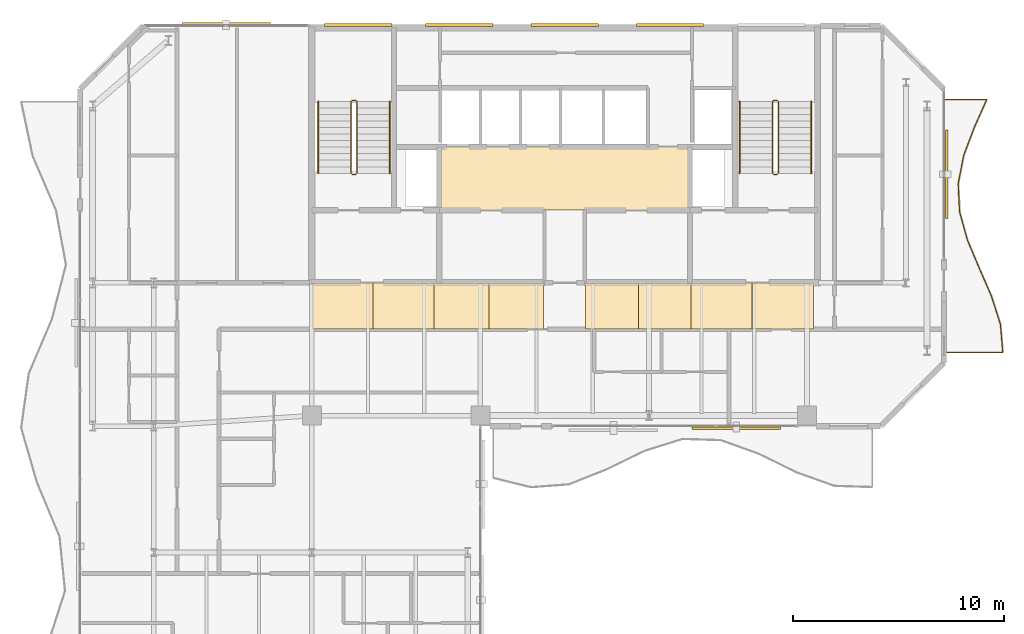
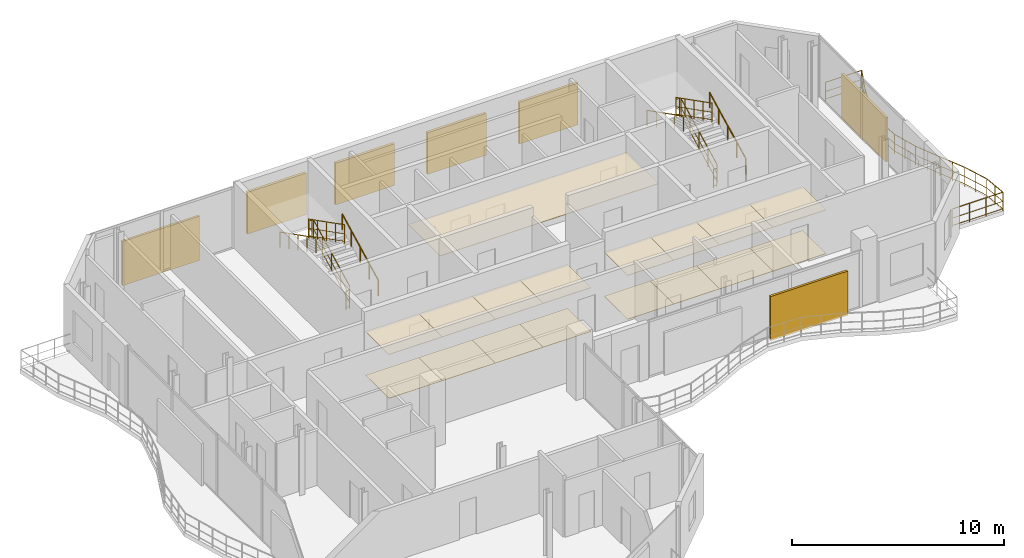
# One storey, part 22 of 23: 17 coverings, 13 railings, 7 shading devices.
"""IFC4 building model written with IfcOpenShell, lengths in metres."""

from ifc_helpers import new_model, si_unit, direction, frame, origin, origin_2d, place, context, subcontext, project, spatial, polyline, rectangle, circle, outline, extrude, material, layer, layer_set, type_object, element, save


model = new_model("IFC4")

# Units and contexts
model_context = context("Model", 3, precision=1e-05, world=origin(), true_north=direction((0.0, 1.0)))
body_context = subcontext(model_context, "Body", "Model", "MODEL_VIEW")
ifc_project = project(units=[si_unit("LENGTHUNIT", "METRE"), si_unit("AREAUNIT", "SQUARE_METRE"), si_unit("VOLUMEUNIT", "CUBIC_METRE"), si_unit("PLANEANGLEUNIT", "RADIAN"), si_unit("MASSUNIT", "GRAM", prefix="KILO")], contexts=[model_context])

# Site, building, storey
site_placement = place(None, origin())
site = spatial("IfcSite", under=ifc_project, at=site_placement, CompositionType="ELEMENT")
building_placement = place(site_placement, origin())
building = spatial("IfcBuilding", under=site, at=building_placement, Name="Catumbela Crestline Tower", CompositionType="ELEMENT")
storey_placement = place(building_placement, frame((0.0, 0.0, 241.2)))
storey = spatial("IfcBuildingStorey", under=building, at=storey_placement, Name="L62", CompositionType="ELEMENT", Elevation=241.2)

# Coverings
ifc_material_1 = material(Name="Mineral-fibre acoustic ceiling")
ifc_layer_1 = layer(ifc_material_1, 0.03, Name="Mineral-fibre acoustic ceiling")
ifc_layer_set_1 = layer_set([ifc_layer_1], Name="Mineral-fibre acoustic ceiling")
covering_type_1 = type_object("IfcCoveringType", Name="CC-AC", PredefinedType="CEILING", material=ifc_layer_set_1)
covering_1_placement = place(storey_placement, frame((0.0, 0.0, 2.65)))
element("IfcCovering", 1, at=covering_1_placement, inside=storey, type_object=covering_type_1, Name="L62 Lift Lobby Acoustic Ceiling", PredefinedType="CEILING", context=body_context, shape_type="SweptSolid", body=[
    extrude(outline(polyline([(22.05, 34.25), (33.95, 34.25), (33.95, 37.25), (22.05, 37.25), (22.05, 34.25)])), origin(), (0.0, 0.0, 1.0), 0.03),
])
covering_2_placement = place(storey_placement, frame((0.0, 0.0, 2.52)))
element("IfcCovering", 2, at=covering_2_placement, inside=storey, type_object=covering_type_1, Name="L62 Corridor Acoustic Ceiling Bay 1", PredefinedType="CEILING", context=body_context, shape_type="SweptSolid", body=[
    extrude(outline(polyline([(16.0, 28.6), (18.9, 28.6), (18.9, 30.8), (16.0, 30.8), (16.0, 28.6)])), origin(), (0.0, 0.0, 1.0), 0.03),
])
covering_3_placement = place(storey_placement, frame((0.0, 0.0, 2.52)))
element("IfcCovering", 3, at=covering_3_placement, inside=storey, type_object=covering_type_1, Name="L62 Corridor Acoustic Ceiling Bay 2", PredefinedType="CEILING", context=body_context, shape_type="SweptSolid", body=[
    extrude(outline(polyline([(18.9, 28.6), (21.8, 28.6), (21.8, 30.8), (18.9, 30.8), (18.9, 28.6)])), origin(), (0.0, 0.0, 1.0), 0.03),
])
covering_4_placement = place(storey_placement, frame((0.0, 0.0, 2.52)))
element("IfcCovering", 4, at=covering_4_placement, inside=storey, type_object=covering_type_1, Name="L62 Corridor Acoustic Ceiling Bay 3", PredefinedType="CEILING", context=body_context, shape_type="SweptSolid", body=[
    extrude(outline(polyline([(21.8, 28.6), (24.4, 28.6), (24.4, 30.8), (21.8, 30.8), (21.8, 28.6)])), origin(), (0.0, 0.0, 1.0), 0.03),
])
covering_5_placement = place(storey_placement, frame((0.0, 0.0, 2.52)))
element("IfcCovering", 5, at=covering_5_placement, inside=storey, type_object=covering_type_1, Name="L62 Corridor Acoustic Ceiling Bay 4", PredefinedType="CEILING", context=body_context, shape_type="SweptSolid", body=[
    extrude(outline(polyline([(24.4, 28.6), (27.0, 28.6), (27.0, 30.8), (24.4, 30.8), (24.4, 28.6)])), origin(), (0.0, 0.0, 1.0), 0.03),
])
covering_6_placement = place(storey_placement, frame((0.0, 0.0, 2.52)))
element("IfcCovering", 6, at=covering_6_placement, inside=storey, type_object=covering_type_1, Name="L62 Corridor Acoustic Ceiling Bay 5", PredefinedType="CEILING", context=body_context, shape_type="SweptSolid", body=[
    extrude(outline(polyline([(29.0, 28.6), (31.5, 28.6), (31.5, 30.8), (29.0, 30.8), (29.0, 28.6)])), origin(), (0.0, 0.0, 1.0), 0.03),
])
covering_7_placement = place(storey_placement, frame((0.0, 0.0, 2.52)))
element("IfcCovering", 7, at=covering_7_placement, inside=storey, type_object=covering_type_1, Name="L62 Corridor Acoustic Ceiling Bay 6", PredefinedType="CEILING", context=body_context, shape_type="SweptSolid", body=[
    extrude(outline(polyline([(31.5, 28.6), (34.0, 28.6), (34.0, 30.8), (31.5, 30.8), (31.5, 28.6)])), origin(), (0.0, 0.0, 1.0), 0.03),
])
covering_8_placement = place(storey_placement, frame((0.0, 0.0, 2.52)))
element("IfcCovering", 8, at=covering_8_placement, inside=storey, type_object=covering_type_1, Name="L62 Corridor Acoustic Ceiling Bay 7", PredefinedType="CEILING", context=body_context, shape_type="SweptSolid", body=[
    extrude(outline(polyline([(34.0, 28.6), (36.9, 28.6), (36.9, 30.8), (34.0, 30.8), (34.0, 28.6)])), origin(), (0.0, 0.0, 1.0), 0.03),
])
covering_9_placement = place(storey_placement, frame((0.0, 0.0, 2.52)))
element("IfcCovering", 9, at=covering_9_placement, inside=storey, type_object=covering_type_1, Name="L62 Corridor Acoustic Ceiling Bay 8", PredefinedType="CEILING", context=body_context, shape_type="SweptSolid", body=[
    extrude(outline(polyline([(36.9, 28.6), (39.8, 28.6), (39.8, 30.8), (36.9, 30.8), (36.9, 28.6)])), origin(), (0.0, 0.0, 1.0), 0.03),
])
ifc_material_2 = material(Name="Angolan grey-ochre granite", Category="masonry")
ifc_layer_2 = layer(ifc_material_2, 0.025, Name="Angolan grey-ochre granite")
ifc_layer_set_2 = layer_set([ifc_layer_2], Name="Angolan grey-ochre granite")
covering_type_2 = type_object("IfcCoveringType", Name="CF-GR", PredefinedType="FLOORING", material=ifc_layer_set_2)
covering_10_placement = place(storey_placement, origin())
element("IfcCovering", 10, at=covering_10_placement, inside=storey, type_object=covering_type_2, Name="L62 Corridor Granite Flooring Bay 1", PredefinedType="FLOORING", context=body_context, shape_type="SweptSolid", body=[
    extrude(outline(polyline([(16.0, 28.6), (18.9, 28.6), (18.9, 30.8), (16.0, 30.8), (16.0, 28.6)])), origin(), (0.0, 0.0, 1.0), 0.025),
])
covering_11_placement = place(storey_placement, origin())
element("IfcCovering", 11, at=covering_11_placement, inside=storey, type_object=covering_type_2, Name="L62 Corridor Granite Flooring Bay 2", PredefinedType="FLOORING", context=body_context, shape_type="SweptSolid", body=[
    extrude(outline(polyline([(18.9, 28.6), (21.8, 28.6), (21.8, 30.8), (18.9, 30.8), (18.9, 28.6)])), origin(), (0.0, 0.0, 1.0), 0.025),
])
covering_12_placement = place(storey_placement, origin())
element("IfcCovering", 12, at=covering_12_placement, inside=storey, type_object=covering_type_2, Name="L62 Corridor Granite Flooring Bay 3", PredefinedType="FLOORING", context=body_context, shape_type="SweptSolid", body=[
    extrude(outline(polyline([(21.8, 28.6), (24.4, 28.6), (24.4, 30.8), (21.8, 30.8), (21.8, 28.6)])), origin(), (0.0, 0.0, 1.0), 0.025),
])
covering_13_placement = place(storey_placement, origin())
element("IfcCovering", 13, at=covering_13_placement, inside=storey, type_object=covering_type_2, Name="L62 Corridor Granite Flooring Bay 4", PredefinedType="FLOORING", context=body_context, shape_type="SweptSolid", body=[
    extrude(outline(polyline([(24.4, 28.6), (27.0, 28.6), (27.0, 30.8), (24.4, 30.8), (24.4, 28.6)])), origin(), (0.0, 0.0, 1.0), 0.025),
])
covering_14_placement = place(storey_placement, origin())
element("IfcCovering", 14, at=covering_14_placement, inside=storey, type_object=covering_type_2, Name="L62 Corridor Granite Flooring Bay 5", PredefinedType="FLOORING", context=body_context, shape_type="SweptSolid", body=[
    extrude(outline(polyline([(29.0, 28.6), (31.5, 28.6), (31.5, 30.8), (29.0, 30.8), (29.0, 28.6)])), origin(), (0.0, 0.0, 1.0), 0.025),
])
covering_15_placement = place(storey_placement, origin())
element("IfcCovering", 15, at=covering_15_placement, inside=storey, type_object=covering_type_2, Name="L62 Corridor Granite Flooring Bay 6", PredefinedType="FLOORING", context=body_context, shape_type="SweptSolid", body=[
    extrude(outline(polyline([(31.5, 28.6), (34.0, 28.6), (34.0, 30.8), (31.5, 30.8), (31.5, 28.6)])), origin(), (0.0, 0.0, 1.0), 0.025),
])
covering_16_placement = place(storey_placement, origin())
element("IfcCovering", 16, at=covering_16_placement, inside=storey, type_object=covering_type_2, Name="L62 Corridor Granite Flooring Bay 7", PredefinedType="FLOORING", context=body_context, shape_type="SweptSolid", body=[
    extrude(outline(polyline([(34.0, 28.6), (36.9, 28.6), (36.9, 30.8), (34.0, 30.8), (34.0, 28.6)])), origin(), (0.0, 0.0, 1.0), 0.025),
])
covering_17_placement = place(storey_placement, origin())
element("IfcCovering", 17, at=covering_17_placement, inside=storey, type_object=covering_type_2, Name="L62 Corridor Granite Flooring Bay 8", PredefinedType="FLOORING", context=body_context, shape_type="SweptSolid", body=[
    extrude(outline(polyline([(36.9, 28.6), (39.8, 28.6), (39.8, 30.8), (36.9, 30.8), (36.9, 28.6)])), origin(), (0.0, 0.0, 1.0), 0.025),
])

# Railings
ifc_material_3 = material(Name="Stainless steel EN 1.4401", Category="steel")
railing_type_1 = type_object("IfcRailingType", Name="RB-1100", PredefinedType="BALUSTRADE", material=ifc_material_3)
railing_1_placement = place(storey_placement, frame((46.06, 27.5, 0.0)))
element("IfcRailing", 18, at=railing_1_placement, inside=storey, type_object=railing_type_1, Name="L62 Private Wave Balcony Balustrade 2", PredefinedType="BALUSTRADE", context=body_context, shape_type="SweptSolid", body=[
    extrude(circle(Radius=0.024, at=origin_2d()), frame((0.0, 0.0, 1.076), z_axis=(1.0, 0.0, 0.0), x_axis=(0.0, 1.0, 0.0)), (0.0, 0.0, 1.0), 2.73),
    extrude(circle(Radius=0.0156, at=origin_2d()), frame((0.0, 0.0, 0.55), z_axis=(1.0, 0.0, 0.0), x_axis=(0.0, 1.0, 0.0)), (0.0, 0.0, 1.0), 2.73),
    extrude(circle(Radius=0.0156, at=origin_2d()), frame((0.0, 0.0, 0.12), z_axis=(1.0, 0.0, 0.0), x_axis=(0.0, 1.0, 0.0)), (0.0, 0.0, 1.0), 2.73),
    extrude(circle(Radius=0.024, at=origin_2d()), frame((2.73, 0.0, 1.076), z_axis=(-0.082668139747, 0.99657713132, 0.0), x_axis=(-0.99657713132, -0.082668139747, 0.0)), (0.0, 0.0, 1.0), 1.3379),
    extrude(circle(Radius=0.0156, at=origin_2d()), frame((2.73, 0.0, 0.55), z_axis=(-0.082668139747, 0.99657713132, 0.0), x_axis=(-0.99657713132, -0.082668139747, 0.0)), (0.0, 0.0, 1.0), 1.3379),
    extrude(circle(Radius=0.0156, at=origin_2d()), frame((2.73, 0.0, 0.12), z_axis=(-0.082668139747, 0.99657713132, 0.0), x_axis=(-0.99657713132, -0.082668139747, 0.0)), (0.0, 0.0, 1.0), 1.3379),
    extrude(circle(Radius=0.024, at=origin_2d()), frame((2.6194, 1.3333, 1.076), z_axis=(-0.303811133199, 0.952732278945, 0.0), x_axis=(-0.952732278945, -0.303811133199, 0.0)), (0.0, 0.0, 1.0), 1.3996),
    extrude(circle(Radius=0.0156, at=origin_2d()), frame((2.6194, 1.3333, 0.55), z_axis=(-0.303811133199, 0.952732278945, 0.0), x_axis=(-0.952732278945, -0.303811133199, 0.0)), (0.0, 0.0, 1.0), 1.3996),
    extrude(circle(Radius=0.0156, at=origin_2d()), frame((2.6194, 1.3333, 0.12), z_axis=(-0.303811133199, 0.952732278945, 0.0), x_axis=(-0.952732278945, -0.303811133199, 0.0)), (0.0, 0.0, 1.0), 1.3996),
    extrude(circle(Radius=0.024, at=origin_2d()), frame((2.1942, 2.6667, 1.076), z_axis=(-0.399711331432, 0.916641070172, 0.0), x_axis=(-0.916641070172, -0.399711331432, 0.0)), (0.0, 0.0, 1.0), 1.4545),
    extrude(circle(Radius=0.0156, at=origin_2d()), frame((2.1942, 2.6667, 0.55), z_axis=(-0.399711331432, 0.916641070172, 0.0), x_axis=(-0.916641070172, -0.399711331432, 0.0)), (0.0, 0.0, 1.0), 1.4545),
    extrude(circle(Radius=0.0156, at=origin_2d()), frame((2.1942, 2.6667, 0.12), z_axis=(-0.399711331432, 0.916641070172, 0.0), x_axis=(-0.916641070172, -0.399711331432, 0.0)), (0.0, 0.0, 1.0), 1.4545),
    extrude(circle(Radius=0.024, at=origin_2d()), frame((1.6128, 4.0, 1.076), z_axis=(-0.387828284506, 0.921731643016, 0.0), x_axis=(-0.921731643016, -0.387828284506, 0.0)), (0.0, 0.0, 1.0), 1.4465),
    extrude(circle(Radius=0.0156, at=origin_2d()), frame((1.6128, 4.0, 0.55), z_axis=(-0.387828284506, 0.921731643016, 0.0), x_axis=(-0.921731643016, -0.387828284506, 0.0)), (0.0, 0.0, 1.0), 1.4465),
    extrude(circle(Radius=0.0156, at=origin_2d()), frame((1.6128, 4.0, 0.12), z_axis=(-0.387828284506, 0.921731643016, 0.0), x_axis=(-0.921731643016, -0.387828284506, 0.0)), (0.0, 0.0, 1.0), 1.4465),
    extrude(circle(Radius=0.024, at=origin_2d()), frame((1.0518, 5.3333, 1.076), z_axis=(-0.267450049337, 0.963571725981, 0.0), x_axis=(-0.963571725981, -0.267450049337, 0.0)), (0.0, 0.0, 1.0), 1.3838),
    extrude(circle(Radius=0.0156, at=origin_2d()), frame((1.0518, 5.3333, 0.55), z_axis=(-0.267450049337, 0.963571725981, 0.0), x_axis=(-0.963571725981, -0.267450049337, 0.0)), (0.0, 0.0, 1.0), 1.3838),
    extrude(circle(Radius=0.0156, at=origin_2d()), frame((1.0518, 5.3333, 0.12), z_axis=(-0.267450049337, 0.963571725981, 0.0), x_axis=(-0.963571725981, -0.267450049337, 0.0)), (0.0, 0.0, 1.0), 1.3838),
    extrude(circle(Radius=0.024, at=origin_2d()), frame((0.6817, 6.6667, 1.076), z_axis=(-0.049963769416, 0.998751030911, 0.0), x_axis=(-0.998751030911, -0.049963769416, 0.0)), (0.0, 0.0, 1.0), 1.335),
    extrude(circle(Radius=0.0156, at=origin_2d()), frame((0.6817, 6.6667, 0.55), z_axis=(-0.049963769416, 0.998751030911, 0.0), x_axis=(-0.998751030911, -0.049963769416, 0.0)), (0.0, 0.0, 1.0), 1.335),
    extrude(circle(Radius=0.0156, at=origin_2d()), frame((0.6817, 6.6667, 0.12), z_axis=(-0.049963769416, 0.998751030911, 0.0), x_axis=(-0.998751030911, -0.049963769416, 0.0)), (0.0, 0.0, 1.0), 1.335),
    extrude(circle(Radius=0.024, at=origin_2d()), frame((0.615, 8.0, 1.076), z_axis=(0.189270763019, 0.981924935148, 0.0), x_axis=(-0.981924935148, 0.189270763019, 0.0)), (0.0, 0.0, 1.0), 1.3578),
    extrude(circle(Radius=0.0156, at=origin_2d()), frame((0.615, 8.0, 0.55), z_axis=(0.189270763019, 0.981924935148, 0.0), x_axis=(-0.981924935148, 0.189270763019, 0.0)), (0.0, 0.0, 1.0), 1.3578),
    extrude(circle(Radius=0.0156, at=origin_2d()), frame((0.615, 8.0, 0.12), z_axis=(0.189270763019, 0.981924935148, 0.0), x_axis=(-0.981924935148, 0.189270763019, 0.0)), (0.0, 0.0, 1.0), 1.3578),
    extrude(circle(Radius=0.024, at=origin_2d()), frame((0.872, 9.3333, 1.076), z_axis=(0.352645749318, 0.935756899781, 0.0), x_axis=(-0.935756899781, 0.352645749318, 0.0)), (0.0, 0.0, 1.0), 1.4249),
    extrude(circle(Radius=0.0156, at=origin_2d()), frame((0.872, 9.3333, 0.55), z_axis=(0.352645749318, 0.935756899781, 0.0), x_axis=(-0.935756899781, 0.352645749318, 0.0)), (0.0, 0.0, 1.0), 1.4249),
    extrude(circle(Radius=0.0156, at=origin_2d()), frame((0.872, 9.3333, 0.12), z_axis=(0.352645749318, 0.935756899781, 0.0), x_axis=(-0.935756899781, 0.352645749318, 0.0)), (0.0, 0.0, 1.0), 1.4249),
    extrude(circle(Radius=0.024, at=origin_2d()), frame((1.3745, 10.6667, 1.076), z_axis=(0.407694688159, 0.913118306271, 0.0), x_axis=(-0.913118306271, 0.407694688159, 0.0)), (0.0, 0.0, 1.0), 1.4602),
    extrude(circle(Radius=0.0156, at=origin_2d()), frame((1.3745, 10.6667, 0.55), z_axis=(0.407694688159, 0.913118306271, 0.0), x_axis=(-0.913118306271, 0.407694688159, 0.0)), (0.0, 0.0, 1.0), 1.4602),
    extrude(circle(Radius=0.0156, at=origin_2d()), frame((1.3745, 10.6667, 0.12), z_axis=(0.407694688159, 0.913118306271, 0.0), x_axis=(-0.913118306271, 0.407694688159, 0.0)), (0.0, 0.0, 1.0), 1.4602),
    extrude(circle(Radius=0.024, at=origin_2d()), frame((1.9698, 12.0, 1.076), z_axis=(-1.0, 0.0, 0.0), x_axis=(0.0, -1.0, 0.0)), (0.0, 0.0, 1.0), 1.9698),
    extrude(circle(Radius=0.0156, at=origin_2d()), frame((1.9698, 12.0, 0.55), z_axis=(-1.0, 0.0, 0.0), x_axis=(0.0, -1.0, 0.0)), (0.0, 0.0, 1.0), 1.9698),
    extrude(circle(Radius=0.0156, at=origin_2d()), frame((1.9698, 12.0, 0.12), z_axis=(-1.0, 0.0, 0.0), x_axis=(0.0, -1.0, 0.0)), (0.0, 0.0, 1.0), 1.9698),
    extrude(circle(Radius=0.021, at=origin_2d()), origin(), (0.0, 0.0, 1.0), 1.052),
    extrude(circle(Radius=0.021, at=origin_2d()), frame((0.91, 0.0, 0.0)), (0.0, 0.0, 1.0), 1.052),
    extrude(circle(Radius=0.021, at=origin_2d()), frame((1.82, 0.0, 0.0)), (0.0, 0.0, 1.0), 1.052),
    extrude(circle(Radius=0.021, at=origin_2d()), frame((2.73, 0.0, 0.0)), (0.0, 0.0, 1.0), 1.052),
    extrude(circle(Radius=0.021, at=origin_2d()), frame((2.6747, 0.6667, 0.0)), (0.0, 0.0, 1.0), 1.052),
    extrude(circle(Radius=0.021, at=origin_2d()), frame((2.6194, 1.3333, 0.0)), (0.0, 0.0, 1.0), 1.052),
    extrude(circle(Radius=0.021, at=origin_2d()), frame((2.4068, 2.0, 0.0)), (0.0, 0.0, 1.0), 1.052),
    extrude(circle(Radius=0.021, at=origin_2d()), frame((2.1942, 2.6667, 0.0)), (0.0, 0.0, 1.0), 1.052),
    extrude(circle(Radius=0.021, at=origin_2d()), frame((1.9035, 3.3333, 0.0)), (0.0, 0.0, 1.0), 1.052),
    extrude(circle(Radius=0.021, at=origin_2d()), frame((1.6128, 4.0, 0.0)), (0.0, 0.0, 1.0), 1.052),
    extrude(circle(Radius=0.021, at=origin_2d()), frame((1.3323, 4.6667, 0.0)), (0.0, 0.0, 1.0), 1.052),
    extrude(circle(Radius=0.021, at=origin_2d()), frame((1.0518, 5.3333, 0.0)), (0.0, 0.0, 1.0), 1.052),
    extrude(circle(Radius=0.021, at=origin_2d()), frame((0.8667, 6.0, 0.0)), (0.0, 0.0, 1.0), 1.052),
    extrude(circle(Radius=0.021, at=origin_2d()), frame((0.6817, 6.6667, 0.0)), (0.0, 0.0, 1.0), 1.052),
    extrude(circle(Radius=0.021, at=origin_2d()), frame((0.6483, 7.3334, 0.0)), (0.0, 0.0, 1.0), 1.052),
    extrude(circle(Radius=0.021, at=origin_2d()), frame((0.615, 8.0, 0.0)), (0.0, 0.0, 1.0), 1.052),
    extrude(circle(Radius=0.021, at=origin_2d()), frame((0.7435, 8.6666, 0.0)), (0.0, 0.0, 1.0), 1.052),
    extrude(circle(Radius=0.021, at=origin_2d()), frame((0.872, 9.3333, 0.0)), (0.0, 0.0, 1.0), 1.052),
    extrude(circle(Radius=0.021, at=origin_2d()), frame((1.1232, 10.0, 0.0)), (0.0, 0.0, 1.0), 1.052),
    extrude(circle(Radius=0.021, at=origin_2d()), frame((1.3745, 10.6667, 0.0)), (0.0, 0.0, 1.0), 1.052),
    extrude(circle(Radius=0.021, at=origin_2d()), frame((1.6721, 11.3334, 0.0)), (0.0, 0.0, 1.0), 1.052),
    extrude(circle(Radius=0.021, at=origin_2d()), frame((1.9698, 12.0, 0.0)), (0.0, 0.0, 1.0), 1.052),
    extrude(circle(Radius=0.021, at=origin_2d()), frame((0.9849, 12.0, 0.0)), (0.0, 0.0, 1.0), 1.052),
    extrude(circle(Radius=0.021, at=origin_2d()), frame((0.0, 12.0, 0.0)), (0.0, 0.0, 1.0), 1.052),
])
railing_type_2 = type_object("IfcRailingType", Name="RG-1100", PredefinedType="GUARDRAIL", material=ifc_material_3)
railing_2_placement = place(storey_placement, frame((18.14, 36.0, 0.1583)))
element("IfcRailing", 19, at=railing_2_placement, inside=storey, type_object=railing_type_2, Name="L62 ST-01 stair guard 1", PredefinedType="GUARDRAIL", context=body_context, shape_type="SweptSolid", body=[
    extrude(circle(Radius=0.024, at=origin_2d()), frame((0.0, 0.0, 1.076), z_axis=(0.0, 0.890560473983, 0.454864861447), x_axis=(-1.0, 0.0, 0.0)), (0.0, 0.0, 1.0), 3.829),
    extrude(circle(Radius=0.0156, at=origin_2d()), frame((0.0, 0.0, 0.55), z_axis=(0.0, 0.890560473983, 0.454864861447), x_axis=(-1.0, 0.0, 0.0)), (0.0, 0.0, 1.0), 3.829),
    extrude(circle(Radius=0.0156, at=origin_2d()), frame((0.0, 0.0, 0.12), z_axis=(0.0, 0.890560473983, 0.454864861447), x_axis=(-1.0, 0.0, 0.0)), (0.0, 0.0, 1.0), 3.829),
    extrude(circle(Radius=0.021, at=origin_2d()), origin(), (0.0, 0.0, 1.0), 1.052),
    extrude(circle(Radius=0.021, at=origin_2d()), frame((0.0, 0.8525, 0.4354)), (0.0, 0.0, 1.0), 1.052),
    extrude(circle(Radius=0.021, at=origin_2d()), frame((0.0, 1.705, 0.8708)), (0.0, 0.0, 1.0), 1.052),
    extrude(circle(Radius=0.021, at=origin_2d()), frame((0.0, 2.5575, 1.3063)), (0.0, 0.0, 1.0), 1.052),
    extrude(circle(Radius=0.021, at=origin_2d()), frame((0.0, 3.41, 1.7417)), (0.0, 0.0, 1.0), 1.052),
])
railing_3_placement = place(storey_placement, frame((18.09, 39.46, 1.9)))
element("IfcRailing", 20, at=railing_3_placement, inside=storey, type_object=railing_type_2, Name="L62 ST-01 stair guard 2", PredefinedType="GUARDRAIL", context=body_context, shape_type="SweptSolid", body=[
    extrude(circle(Radius=0.024, at=origin_2d()), frame((0.0, 0.0, 1.076), z_axis=(-1.0, 0.0, 0.0), x_axis=(0.0, -1.0, 0.0)), (0.0, 0.0, 1.0), 0.18),
    extrude(circle(Radius=0.0156, at=origin_2d()), frame((0.0, 0.0, 0.55), z_axis=(-1.0, 0.0, 0.0), x_axis=(0.0, -1.0, 0.0)), (0.0, 0.0, 1.0), 0.18),
    extrude(circle(Radius=0.0156, at=origin_2d()), frame((0.0, 0.0, 0.12), z_axis=(-1.0, 0.0, 0.0), x_axis=(0.0, -1.0, 0.0)), (0.0, 0.0, 1.0), 0.18),
    extrude(circle(Radius=0.021, at=origin_2d()), origin(), (0.0, 0.0, 1.0), 1.052),
    extrude(circle(Radius=0.021, at=origin_2d()), frame((-0.18, 0.0, 0.0)), (0.0, 0.0, 1.0), 1.052),
])
railing_4_placement = place(storey_placement, frame((17.86, 39.41, 2.0583)))
element("IfcRailing", 21, at=railing_4_placement, inside=storey, type_object=railing_type_2, Name="L62 ST-01 stair guard 3", PredefinedType="GUARDRAIL", context=body_context, shape_type="SweptSolid", body=[
    extrude(circle(Radius=0.024, at=origin_2d()), frame((0.0, 0.0, 1.076), z_axis=(0.0, -0.890560473983, 0.454864861447), x_axis=(1.0, 0.0, 0.0)), (0.0, 0.0, 1.0), 3.829),
    extrude(circle(Radius=0.0156, at=origin_2d()), frame((0.0, 0.0, 0.55), z_axis=(0.0, -0.890560473983, 0.454864861447), x_axis=(1.0, 0.0, 0.0)), (0.0, 0.0, 1.0), 3.829),
    extrude(circle(Radius=0.0156, at=origin_2d()), frame((0.0, 0.0, 0.12), z_axis=(0.0, -0.890560473983, 0.454864861447), x_axis=(1.0, 0.0, 0.0)), (0.0, 0.0, 1.0), 3.829),
    extrude(circle(Radius=0.021, at=origin_2d()), origin(), (0.0, 0.0, 1.0), 1.052),
    extrude(circle(Radius=0.021, at=origin_2d()), frame((0.0, -0.8525, 0.4354)), (0.0, 0.0, 1.0), 1.052),
    extrude(circle(Radius=0.021, at=origin_2d()), frame((0.0, -1.705, 0.8709)), (0.0, 0.0, 1.0), 1.052),
    extrude(circle(Radius=0.021, at=origin_2d()), frame((0.0, -2.5575, 1.3063)), (0.0, 0.0, 1.0), 1.052),
    extrude(circle(Radius=0.021, at=origin_2d()), frame((0.0, -3.41, 1.7417)), (0.0, 0.0, 1.0), 1.052),
])
railing_5_placement = place(storey_placement, frame((18.09, 35.95, 0.0)))
element("IfcRailing", 22, at=railing_5_placement, inside=storey, type_object=railing_type_2, Name="L62 ST-01 stair guard 4", PredefinedType="GUARDRAIL", context=body_context, shape_type="SweptSolid", body=[
    extrude(circle(Radius=0.024, at=origin_2d()), frame((0.0, 0.0, 1.076), z_axis=(-1.0, 0.0, 0.0), x_axis=(0.0, -1.0, 0.0)), (0.0, 0.0, 1.0), 0.18),
    extrude(circle(Radius=0.0156, at=origin_2d()), frame((0.0, 0.0, 0.55), z_axis=(-1.0, 0.0, 0.0), x_axis=(0.0, -1.0, 0.0)), (0.0, 0.0, 1.0), 0.18),
    extrude(circle(Radius=0.0156, at=origin_2d()), frame((0.0, 0.0, 0.12), z_axis=(-1.0, 0.0, 0.0), x_axis=(0.0, -1.0, 0.0)), (0.0, 0.0, 1.0), 0.18),
    extrude(circle(Radius=0.021, at=origin_2d()), origin(), (0.0, 0.0, 1.0), 1.052),
    extrude(circle(Radius=0.021, at=origin_2d()), frame((-0.18, 0.0, 0.0)), (0.0, 0.0, 1.0), 1.052),
])
railing_6_placement = place(storey_placement, frame((38.14, 36.0, 0.1583)))
element("IfcRailing", 23, at=railing_6_placement, inside=storey, type_object=railing_type_2, Name="L62 ST-02 stair guard 1", PredefinedType="GUARDRAIL", context=body_context, shape_type="SweptSolid", body=[
    extrude(circle(Radius=0.024, at=origin_2d()), frame((0.0, 0.0, 1.076), z_axis=(0.0, 0.890560473983, 0.454864861447), x_axis=(-1.0, 0.0, 0.0)), (0.0, 0.0, 1.0), 3.829),
    extrude(circle(Radius=0.0156, at=origin_2d()), frame((0.0, 0.0, 0.55), z_axis=(0.0, 0.890560473983, 0.454864861447), x_axis=(-1.0, 0.0, 0.0)), (0.0, 0.0, 1.0), 3.829),
    extrude(circle(Radius=0.0156, at=origin_2d()), frame((0.0, 0.0, 0.12), z_axis=(0.0, 0.890560473983, 0.454864861447), x_axis=(-1.0, 0.0, 0.0)), (0.0, 0.0, 1.0), 3.829),
    extrude(circle(Radius=0.021, at=origin_2d()), origin(), (0.0, 0.0, 1.0), 1.052),
    extrude(circle(Radius=0.021, at=origin_2d()), frame((0.0, 0.8525, 0.4354)), (0.0, 0.0, 1.0), 1.052),
    extrude(circle(Radius=0.021, at=origin_2d()), frame((0.0, 1.705, 0.8708)), (0.0, 0.0, 1.0), 1.052),
    extrude(circle(Radius=0.021, at=origin_2d()), frame((0.0, 2.5575, 1.3063)), (0.0, 0.0, 1.0), 1.052),
    extrude(circle(Radius=0.021, at=origin_2d()), frame((0.0, 3.41, 1.7417)), (0.0, 0.0, 1.0), 1.052),
])
railing_7_placement = place(storey_placement, frame((38.09, 39.46, 1.9)))
element("IfcRailing", 24, at=railing_7_placement, inside=storey, type_object=railing_type_2, Name="L62 ST-02 stair guard 2", PredefinedType="GUARDRAIL", context=body_context, shape_type="SweptSolid", body=[
    extrude(circle(Radius=0.024, at=origin_2d()), frame((0.0, 0.0, 1.076), z_axis=(-1.0, 0.0, 0.0), x_axis=(0.0, -1.0, 0.0)), (0.0, 0.0, 1.0), 0.18),
    extrude(circle(Radius=0.0156, at=origin_2d()), frame((0.0, 0.0, 0.55), z_axis=(-1.0, 0.0, 0.0), x_axis=(0.0, -1.0, 0.0)), (0.0, 0.0, 1.0), 0.18),
    extrude(circle(Radius=0.0156, at=origin_2d()), frame((0.0, 0.0, 0.12), z_axis=(-1.0, 0.0, 0.0), x_axis=(0.0, -1.0, 0.0)), (0.0, 0.0, 1.0), 0.18),
    extrude(circle(Radius=0.021, at=origin_2d()), origin(), (0.0, 0.0, 1.0), 1.052),
    extrude(circle(Radius=0.021, at=origin_2d()), frame((-0.18, 0.0, 0.0)), (0.0, 0.0, 1.0), 1.052),
])
railing_8_placement = place(storey_placement, frame((37.86, 39.41, 2.0583)))
element("IfcRailing", 25, at=railing_8_placement, inside=storey, type_object=railing_type_2, Name="L62 ST-02 stair guard 3", PredefinedType="GUARDRAIL", context=body_context, shape_type="SweptSolid", body=[
    extrude(circle(Radius=0.024, at=origin_2d()), frame((0.0, 0.0, 1.076), z_axis=(0.0, -0.890560473983, 0.454864861447), x_axis=(1.0, 0.0, 0.0)), (0.0, 0.0, 1.0), 3.829),
    extrude(circle(Radius=0.0156, at=origin_2d()), frame((0.0, 0.0, 0.55), z_axis=(0.0, -0.890560473983, 0.454864861447), x_axis=(1.0, 0.0, 0.0)), (0.0, 0.0, 1.0), 3.829),
    extrude(circle(Radius=0.0156, at=origin_2d()), frame((0.0, 0.0, 0.12), z_axis=(0.0, -0.890560473983, 0.454864861447), x_axis=(1.0, 0.0, 0.0)), (0.0, 0.0, 1.0), 3.829),
    extrude(circle(Radius=0.021, at=origin_2d()), origin(), (0.0, 0.0, 1.0), 1.052),
    extrude(circle(Radius=0.021, at=origin_2d()), frame((0.0, -0.8525, 0.4354)), (0.0, 0.0, 1.0), 1.052),
    extrude(circle(Radius=0.021, at=origin_2d()), frame((0.0, -1.705, 0.8709)), (0.0, 0.0, 1.0), 1.052),
    extrude(circle(Radius=0.021, at=origin_2d()), frame((0.0, -2.5575, 1.3063)), (0.0, 0.0, 1.0), 1.052),
    extrude(circle(Radius=0.021, at=origin_2d()), frame((0.0, -3.41, 1.7417)), (0.0, 0.0, 1.0), 1.052),
])
railing_9_placement = place(storey_placement, frame((38.09, 35.95, 0.0)))
element("IfcRailing", 26, at=railing_9_placement, inside=storey, type_object=railing_type_2, Name="L62 ST-02 stair guard 4", PredefinedType="GUARDRAIL", context=body_context, shape_type="SweptSolid", body=[
    extrude(circle(Radius=0.024, at=origin_2d()), frame((0.0, 0.0, 1.076), z_axis=(-1.0, 0.0, 0.0), x_axis=(0.0, -1.0, 0.0)), (0.0, 0.0, 1.0), 0.18),
    extrude(circle(Radius=0.0156, at=origin_2d()), frame((0.0, 0.0, 0.55), z_axis=(-1.0, 0.0, 0.0), x_axis=(0.0, -1.0, 0.0)), (0.0, 0.0, 1.0), 0.18),
    extrude(circle(Radius=0.0156, at=origin_2d()), frame((0.0, 0.0, 0.12), z_axis=(-1.0, 0.0, 0.0), x_axis=(0.0, -1.0, 0.0)), (0.0, 0.0, 1.0), 0.18),
    extrude(circle(Radius=0.021, at=origin_2d()), origin(), (0.0, 0.0, 1.0), 1.052),
    extrude(circle(Radius=0.021, at=origin_2d()), frame((-0.18, 0.0, 0.0)), (0.0, 0.0, 1.0), 1.052),
])
railing_type_3 = type_object("IfcRailingType", Name="RH-0900", PredefinedType="HANDRAIL", material=ifc_material_3)
railing_10_placement = place(storey_placement, frame((19.7, 36.0, 0.1583)))
element("IfcRailing", 27, at=railing_10_placement, inside=storey, type_object=railing_type_3, Name="L62 ST-01 stair handrail 1", PredefinedType="HANDRAIL", context=body_context, shape_type="SweptSolid", body=[
    extrude(circle(Radius=0.024, at=origin_2d()), frame((0.0, 0.0, 0.876), z_axis=(0.0, 0.890560473983, 0.454864861447), x_axis=(-1.0, 0.0, 0.0)), (0.0, 0.0, 1.0), 3.829),
    extrude(circle(Radius=0.021, at=origin_2d()), origin(), (0.0, 0.0, 1.0), 0.852),
    extrude(circle(Radius=0.021, at=origin_2d()), frame((0.0, 0.8525, 0.4354)), (0.0, 0.0, 1.0), 0.852),
    extrude(circle(Radius=0.021, at=origin_2d()), frame((0.0, 1.705, 0.8708)), (0.0, 0.0, 1.0), 0.852),
    extrude(circle(Radius=0.021, at=origin_2d()), frame((0.0, 2.5575, 1.3063)), (0.0, 0.0, 1.0), 0.852),
    extrude(circle(Radius=0.021, at=origin_2d()), frame((0.0, 3.41, 1.7417)), (0.0, 0.0, 1.0), 0.852),
])
railing_11_placement = place(storey_placement, frame((16.3, 39.41, 2.0583)))
element("IfcRailing", 28, at=railing_11_placement, inside=storey, type_object=railing_type_3, Name="L62 ST-01 stair handrail 2", PredefinedType="HANDRAIL", context=body_context, shape_type="SweptSolid", body=[
    extrude(circle(Radius=0.024, at=origin_2d()), frame((0.0, 0.0, 0.876), z_axis=(0.0, -0.890560473983, 0.454864861447), x_axis=(1.0, 0.0, 0.0)), (0.0, 0.0, 1.0), 3.829),
    extrude(circle(Radius=0.021, at=origin_2d()), origin(), (0.0, 0.0, 1.0), 0.852),
    extrude(circle(Radius=0.021, at=origin_2d()), frame((0.0, -0.8525, 0.4354)), (0.0, 0.0, 1.0), 0.852),
    extrude(circle(Radius=0.021, at=origin_2d()), frame((0.0, -1.705, 0.8709)), (0.0, 0.0, 1.0), 0.852),
    extrude(circle(Radius=0.021, at=origin_2d()), frame((0.0, -2.5575, 1.3063)), (0.0, 0.0, 1.0), 0.852),
    extrude(circle(Radius=0.021, at=origin_2d()), frame((0.0, -3.41, 1.7417)), (0.0, 0.0, 1.0), 0.852),
])
railing_12_placement = place(storey_placement, frame((39.7, 36.0, 0.1583)))
element("IfcRailing", 29, at=railing_12_placement, inside=storey, type_object=railing_type_3, Name="L62 ST-02 stair handrail 1", PredefinedType="HANDRAIL", context=body_context, shape_type="SweptSolid", body=[
    extrude(circle(Radius=0.024, at=origin_2d()), frame((0.0, 0.0, 0.876), z_axis=(0.0, 0.890560473983, 0.454864861447), x_axis=(-1.0, 0.0, 0.0)), (0.0, 0.0, 1.0), 3.829),
    extrude(circle(Radius=0.021, at=origin_2d()), origin(), (0.0, 0.0, 1.0), 0.852),
    extrude(circle(Radius=0.021, at=origin_2d()), frame((0.0, 0.8525, 0.4354)), (0.0, 0.0, 1.0), 0.852),
    extrude(circle(Radius=0.021, at=origin_2d()), frame((0.0, 1.705, 0.8708)), (0.0, 0.0, 1.0), 0.852),
    extrude(circle(Radius=0.021, at=origin_2d()), frame((0.0, 2.5575, 1.3063)), (0.0, 0.0, 1.0), 0.852),
    extrude(circle(Radius=0.021, at=origin_2d()), frame((0.0, 3.41, 1.7417)), (0.0, 0.0, 1.0), 0.852),
])
railing_13_placement = place(storey_placement, frame((36.3, 39.41, 2.0583)))
element("IfcRailing", 30, at=railing_13_placement, inside=storey, type_object=railing_type_3, Name="L62 ST-02 stair handrail 2", PredefinedType="HANDRAIL", context=body_context, shape_type="SweptSolid", body=[
    extrude(circle(Radius=0.024, at=origin_2d()), frame((0.0, 0.0, 0.876), z_axis=(0.0, -0.890560473983, 0.454864861447), x_axis=(1.0, 0.0, 0.0)), (0.0, 0.0, 1.0), 3.829),
    extrude(circle(Radius=0.021, at=origin_2d()), origin(), (0.0, 0.0, 1.0), 0.852),
    extrude(circle(Radius=0.021, at=origin_2d()), frame((0.0, -0.8525, 0.4354)), (0.0, 0.0, 1.0), 0.852),
    extrude(circle(Radius=0.021, at=origin_2d()), frame((0.0, -1.705, 0.8709)), (0.0, 0.0, 1.0), 0.852),
    extrude(circle(Radius=0.021, at=origin_2d()), frame((0.0, -2.5575, 1.3063)), (0.0, 0.0, 1.0), 0.852),
    extrude(circle(Radius=0.021, at=origin_2d()), frame((0.0, -3.41, 1.7417)), (0.0, 0.0, 1.0), 0.852),
])

# Shading devices
ifc_material_4 = material(Name="Extruded terracotta ceramic", Category="masonry")
shading_device_type_1 = type_object("IfcShadingDeviceType", Name="ST-180", PredefinedType="USERDEFINED", material=ifc_material_4)
shading_device_1_placement = place(storey_placement, frame((28.0, 43.04, 0.55), z_axis=(0.0, 0.0, 1.0), x_axis=(1.0, 0.0, 0.0)))
element("IfcShadingDevice", 31, at=shading_device_1_placement, inside=storey, type_object=shading_device_type_1, Name="L62 Rear Core Terracotta Brise-Soleil Screen 742", ObjectType="SCREEN", PredefinedType="USERDEFINED", context=body_context, shape_type="SweptSolid", body=[
    extrude(rectangle(XDim=3.2, YDim=0.14, at=origin_2d()), origin(), (0.0, 0.0, 1.0), 2.4),
])
for number, where, z_axis, x_axis, name in (
    (32, (36.1375, 23.901, -0.1), (0.0, 0.0, 1.0), (1.0, 0.0, 0.0), "L62 Perforated Terracotta Solar Screen 749 (180 mm)"),
    (33, (11.93, 43.099, -0.1), (0.0, 0.0, 1.0), (-1.0, 0.0, 0.0), "L62 Perforated Terracotta Solar Screen 751 (180 mm)"),
):
    element("IfcShadingDevice", number, at=place(storey_placement, frame(where, z_axis=z_axis, x_axis=x_axis)), inside=storey, type_object=shading_device_type_1, Name=name, ObjectType="SCREEN", PredefinedType="USERDEFINED", context=body_context, shape_type="SweptSolid", body=[
        extrude(rectangle(XDim=4.2, YDim=0.12, at=origin_2d()), origin(), (0.0, 0.0, 1.0), 2.55),
    ])
shading_device_type_2 = type_object("IfcShadingDeviceType", Name="ST-260", PredefinedType="USERDEFINED", material=ifc_material_4)
shading_device_2_placement = place(storey_placement, frame((23.0, 43.04, 0.55), z_axis=(0.0, 0.0, 1.0), x_axis=(1.0, 0.0, 0.0)))
element("IfcShadingDevice", 34, at=shading_device_2_placement, inside=storey, type_object=shading_device_type_2, Name="L62 Rear Core Terracotta Brise-Soleil Screen 741", ObjectType="SCREEN", PredefinedType="USERDEFINED", context=body_context, shape_type="SweptSolid", body=[
    extrude(rectangle(XDim=3.2, YDim=0.14, at=origin_2d()), origin(), (0.0, 0.0, 1.0), 2.4),
])
shading_device_3_placement = place(storey_placement, frame((46.143, 35.95, -0.1), z_axis=(0.0, 0.0, 1.0), x_axis=(0.0, 1.0, 0.0)))
element("IfcShadingDevice", 35, at=shading_device_3_placement, inside=storey, type_object=shading_device_type_2, Name="L62 Perforated Terracotta Solar Screen 750 (260 mm)", ObjectType="SCREEN", PredefinedType="USERDEFINED", context=body_context, shape_type="SweptSolid", body=[
    extrude(rectangle(XDim=4.2, YDim=0.12, at=origin_2d()), origin(), (0.0, 0.0, 1.0), 2.55),
])
shading_device_type_3 = type_object("IfcShadingDeviceType", Name="ST-340", PredefinedType="USERDEFINED", material=ifc_material_4)
for number, where, z_axis, x_axis, name in (
    (36, (18.2, 43.04, 0.55), (0.0, 0.0, 1.0), (1.0, 0.0, 0.0), "L62 Rear Core Terracotta Brise-Soleil Screen 740"),
    (37, (33.0, 43.04, 0.55), (0.0, 0.0, 1.0), (1.0, 0.0, 0.0), "L62 Rear Core Terracotta Brise-Soleil Screen 743"),
):
    element("IfcShadingDevice", number, at=place(storey_placement, frame(where, z_axis=z_axis, x_axis=x_axis)), inside=storey, type_object=shading_device_type_3, Name=name, ObjectType="SCREEN", PredefinedType="USERDEFINED", context=body_context, shape_type="SweptSolid", body=[
        extrude(rectangle(XDim=3.2, YDim=0.14, at=origin_2d()), origin(), (0.0, 0.0, 1.0), 2.4),
    ])

save(model, "model.ifc")
